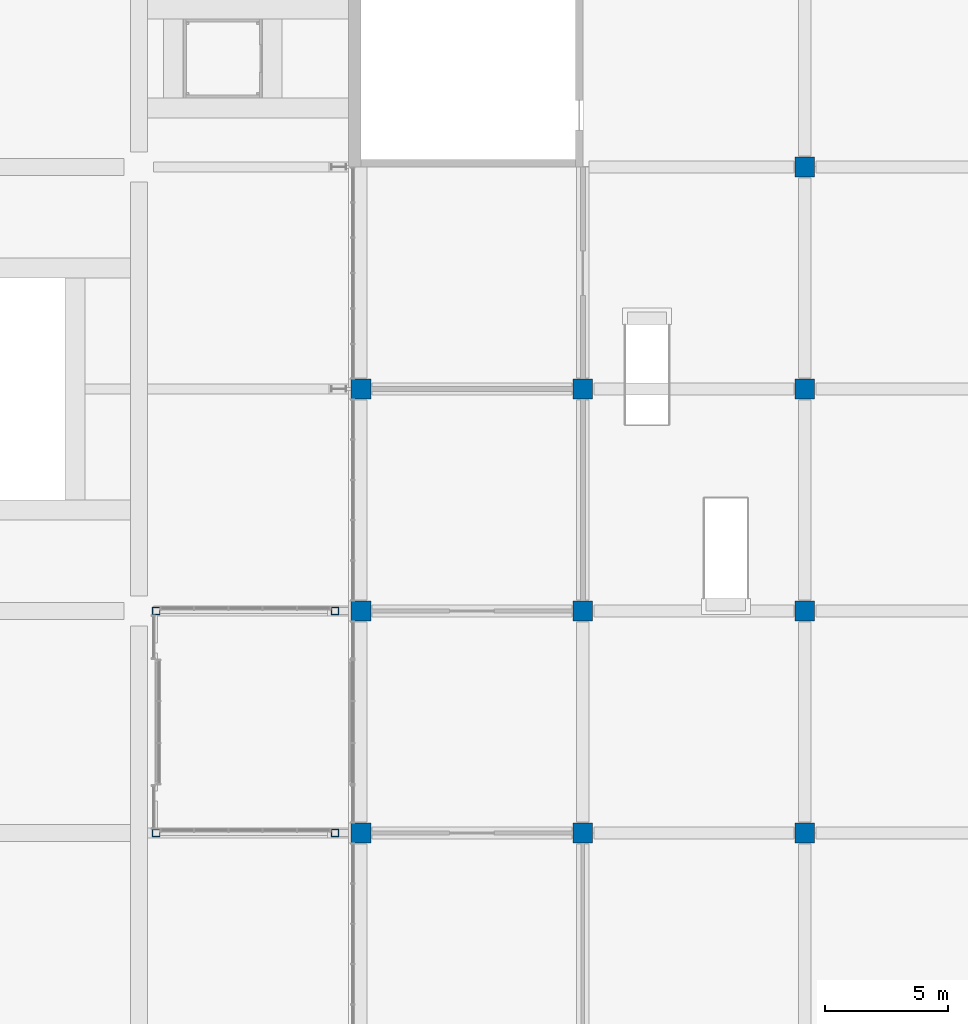
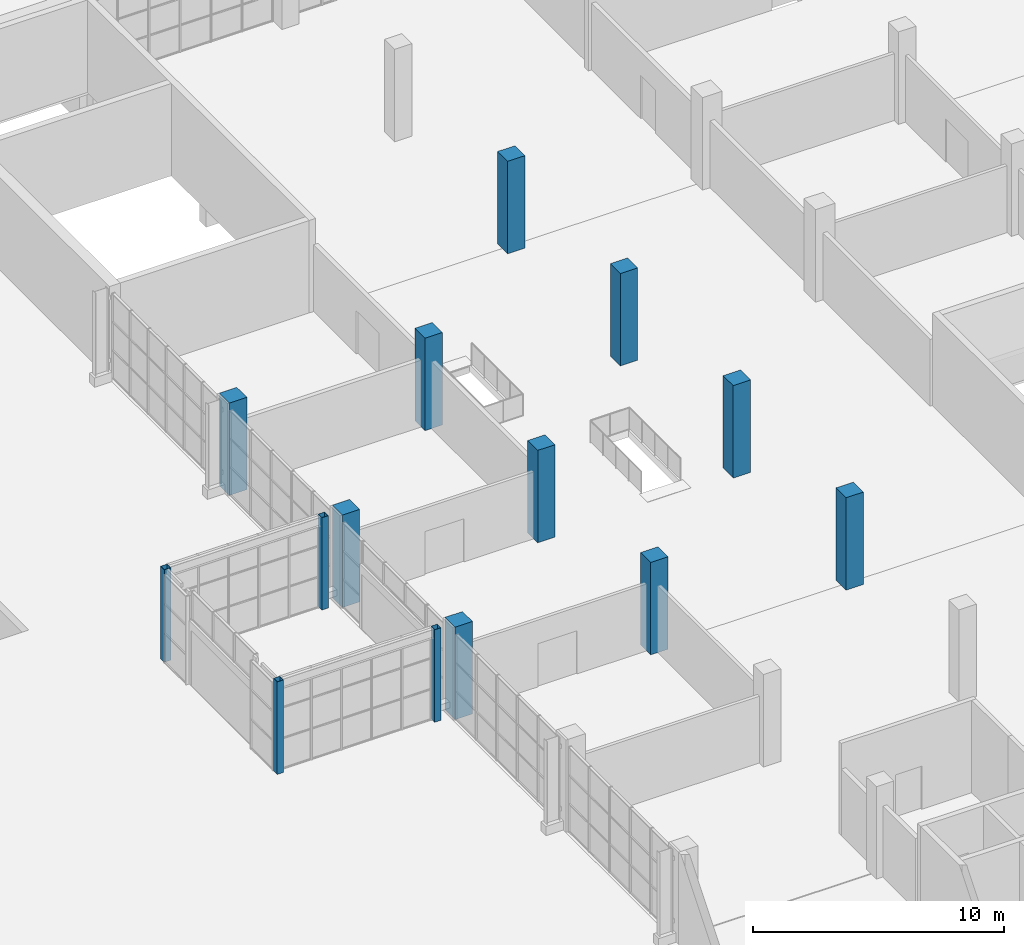
# One storey, part 7 of 168: 14 columns.
"""IFC4 building model written with IfcOpenShell, lengths in metres."""

from ifc_helpers import new_model, si_unit, direction, frame, origin, origin_2d, place, context, subcontext, project, spatial, rectangle, hollow_rectangle, extrude, material, material_profile, profile_set, type_object, element, save


model = new_model("IFC4")

# Units and contexts
model_context = context("Model", 3, precision=1e-05, world=origin(), true_north=direction((0.0, 1.0)))
body_context = subcontext(model_context, "Body", "Model", "MODEL_VIEW")
ifc_project = project(units=[si_unit("LENGTHUNIT", "METRE"), si_unit("AREAUNIT", "SQUARE_METRE"), si_unit("VOLUMEUNIT", "CUBIC_METRE"), si_unit("PLANEANGLEUNIT", "RADIAN"), si_unit("MASSUNIT", "GRAM", prefix="KILO")], contexts=[model_context])

# Site, building, storey
site_placement = place(None, origin())
site = spatial("IfcSite", under=ifc_project, at=site_placement, CompositionType="ELEMENT")
building_placement = place(site_placement, origin())
building = spatial("IfcBuilding", under=site, at=building_placement, Name="Silverbay Arena", CompositionType="ELEMENT")
storey_placement = place(building_placement, frame((0.0, 0.0, 7.0)))
storey = spatial("IfcBuildingStorey", under=building, at=storey_placement, Name="L01", CompositionType="ELEMENT", Elevation=7.0)

# Columns
ifc_material_1 = material(Name="Steel S355", Category="steel")
ifc_material_profile_1 = material_profile(ifc_material_1, hollow_rectangle(XDim=0.300048828125, YDim=0.300048828125, WallThickness=0.012451171875, at=origin_2d()), Name="SHS 300x300x12.5")
ifc_profile_set_1 = profile_set([ifc_material_profile_1], Name="Steel S355")
column_type_1 = type_object("IfcColumnType", Name="Hall column SHS 300x300x12.5", PredefinedType="COLUMN", material=ifc_profile_set_1)
for number, where, z_axis, x_axis, name in (
    (1, (18.699951171875, 99.0, 0.0), (0.0, 0.0, 1.0), (1.0, 0.0, 0.0), "West entrance hall W1 column F1"),
    (2, (25.949951171875, 99.0, 0.0), (0.0, 0.0, 1.0), (1.0, 0.0, 0.0), "West entrance hall W1 column B1"),
    (3, (18.699951171875, 108.0, 0.0), (0.0, 0.0, 1.0), (1.0, 0.0, 0.0), "West entrance hall W1 column F2"),
    (4, (25.949951171875, 108.0, 0.0), (0.0, 0.0, 1.0), (1.0, 0.0, 0.0), "West entrance hall W1 column B2"),
):
    element("IfcColumn", number, at=place(storey_placement, frame(where, z_axis=z_axis, x_axis=x_axis)), inside=storey, type_object=column_type_1, Name=name, PredefinedType="COLUMN", context=body_context, shape_type="SweptSolid", body=[
        extrude(hollow_rectangle(XDim=0.300048828125, YDim=0.300048828125, WallThickness=0.012451171875, at=origin_2d()), origin(), (0.0, 0.0, 1.0), 4.5),
    ])
ifc_material_2 = material(Name="Concrete Grade C45", Category="concrete")
ifc_material_profile_2 = material_profile(ifc_material_2, rectangle(XDim=0.800048828125, YDim=0.800048828125, at=origin_2d()), Name="RC 800x800")
ifc_profile_set_2 = profile_set([ifc_material_profile_2], Name="Concrete Grade C45")
column_type_2 = type_object("IfcColumnType", Name="RC column 800x800", PredefinedType="COLUMN", material=ifc_profile_set_2)
for number, where, z_axis, x_axis, name in (
    (5, (27.0, 99.0, 0.0), (0.0, 0.0, 1.0), (1.0, 0.0, 0.0), "Column 4/M L01"),
    (6, (27.0, 108.0, 0.0), (0.0, 0.0, 1.0), (1.0, 0.0, 0.0), "Column 4/N L01"),
    (7, (27.0, 117.0, 0.0), (0.0, 0.0, 1.0), (1.0, 0.0, 0.0), "Column 4/P L01"),
    (8, (36.0, 99.0, 0.0), (0.0, 0.0, 1.0), (1.0, 0.0, 0.0), "Column 5/M L01"),
    (9, (36.0, 108.0, 0.0), (0.0, 0.0, 1.0), (1.0, 0.0, 0.0), "Column 5/N L01"),
    (10, (36.0, 117.0, 0.0), (0.0, 0.0, 1.0), (1.0, 0.0, 0.0), "Column 5/P L01"),
    (11, (45.0, 99.0, 0.0), (0.0, 0.0, 1.0), (1.0, 0.0, 0.0), "Column 6/M L01"),
    (12, (45.0, 108.0, 0.0), (0.0, 0.0, 1.0), (1.0, 0.0, 0.0), "Column 6/N L01"),
    (13, (45.0, 117.0, 0.0), (0.0, 0.0, 1.0), (1.0, 0.0, 0.0), "Column 6/P L01"),
    (14, (45.0, 126.0, 0.0), (0.0, 0.0, 1.0), (1.0, 0.0, 0.0), "Column 6/Q L01"),
):
    element("IfcColumn", number, at=place(storey_placement, frame(where, z_axis=z_axis, x_axis=x_axis)), inside=storey, type_object=column_type_2, Name=name, PredefinedType="COLUMN", context=body_context, shape_type="SweptSolid", body=[
        extrude(rectangle(XDim=0.800048828125, YDim=0.800048828125, at=origin_2d()), origin(), (0.0, 0.0, 1.0), 4.5),
    ])

save(model, "model.ifc")
